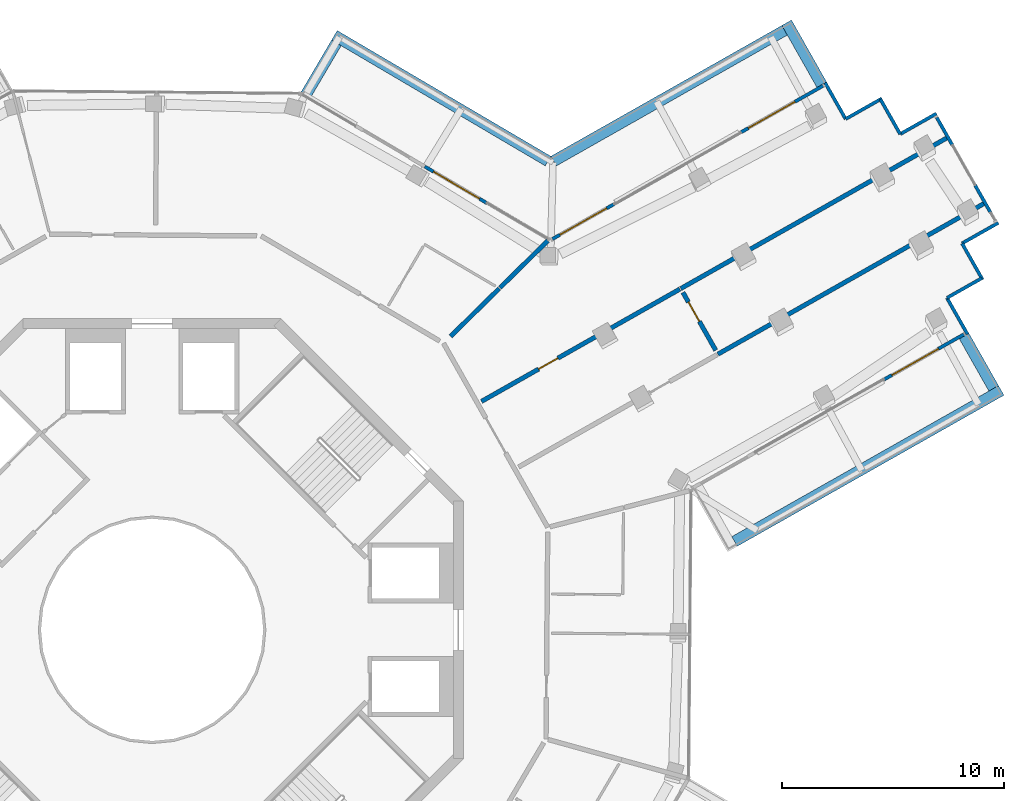
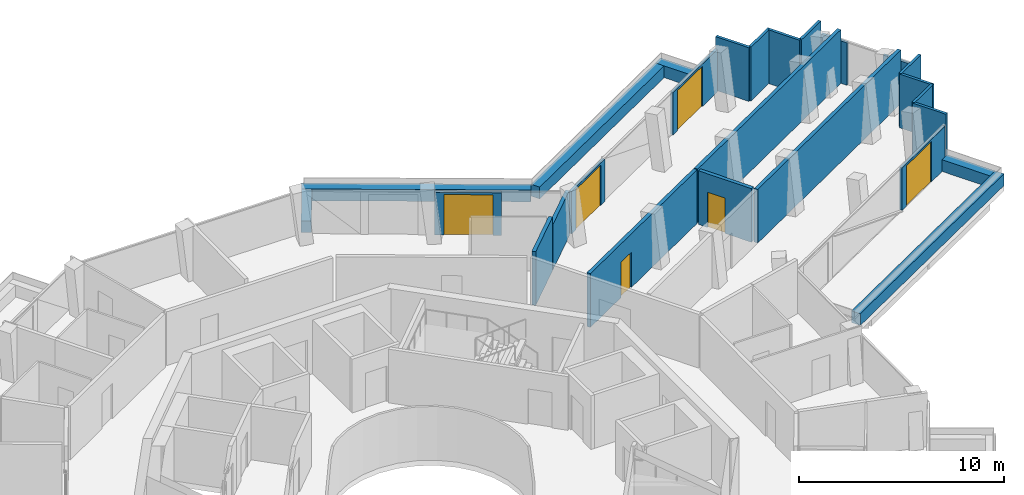
# One storey, part 21 of 24: 26 walls, 6 doors, 6 openings.
"""IFC4 building model written with IfcOpenShell, lengths in metres."""

from ifc_helpers import new_model, si_unit, direction, frame, frame_2d, origin, place, context, subcontext, project, spatial, rectangle, extrude, material, layer, layer_set, type_object, element, fill, save


model = new_model("IFC4")

# Units and contexts
model_context = context("Model", 3, precision=1e-05, world=origin(), true_north=direction((0.0, 1.0)))
body_context = subcontext(model_context, "Body", "Model", "MODEL_VIEW")
ifc_project = project(units=[si_unit("LENGTHUNIT", "METRE"), si_unit("AREAUNIT", "SQUARE_METRE"), si_unit("VOLUMEUNIT", "CUBIC_METRE"), si_unit("PLANEANGLEUNIT", "RADIAN"), si_unit("MASSUNIT", "GRAM", prefix="KILO")], contexts=[model_context])

# Site, building, storey
site_placement = place(None, origin())
site = spatial("IfcSite", under=ifc_project, at=site_placement, CompositionType="ELEMENT")
building_placement = place(site_placement, origin())
building = spatial("IfcBuilding", under=site, at=building_placement, Name="Verdalira Terraces Hotel", CompositionType="ELEMENT")
storey_placement = place(building_placement, frame((0.0, 0.0, 277.5)))
storey = spatial("IfcBuildingStorey", under=building, at=storey_placement, Name="L68", CompositionType="ELEMENT", Elevation=277.5)

# Walls
ifc_material_1 = material(Name="Concrete C40", Category="concrete")
ifc_layer_1 = layer(ifc_material_1, 0.5)
ifc_layer_set_1 = layer_set([ifc_layer_1], Name="Balcony planter trough with tree")
wall_type_1 = type_object("IfcWallType", Name="Balcony planter trough with tree", PredefinedType="SOLIDWALL", material=ifc_layer_set_1)
wall_1_placement = place(storey_placement, frame((26.200684, 3.97583, 0.0), z_axis=(0.0, 0.0, 1.0), x_axis=(0.87018366, 0.492727509, 0.0)))
element("IfcWall", 1, at=wall_1_placement, inside=storey, type_object=wall_type_1, Name="Balcony planter", PredefinedType="SOLIDWALL", context=body_context, shape_type="SweptSolid", body=[
    extrude(rectangle(XDim=13.787842, YDim=0.5, at=frame_2d((6.894043, 0.0))), origin(), (0.0, 0.0, 1.0), 0.699951),
])
wall_2_placement = place(storey_placement, frame((37.85791, 10.864014, 0.0), z_axis=(0.0, 0.0, 1.0), x_axis=(-0.49271584, 0.870190267, 0.0)))
element("IfcWall", 2, at=wall_2_placement, inside=storey, type_object=wall_type_1, Name="Balcony planter", PredefinedType="SOLIDWALL", context=body_context, shape_type="SweptSolid", body=[
    extrude(rectangle(XDim=2.698975, YDim=0.5, at=frame_2d((1.349609, 0.0))), origin(), (0.0, 0.0, 1.0), 0.699951),
])
wall_3_placement = place(storey_placement, frame((30.121582, 24.526855, 0.0), z_axis=(0.0, 0.0, 1.0), x_axis=(-0.492715997, 0.870190179, 0.0)))
element("IfcWall", 3, at=wall_3_placement, inside=storey, type_object=wall_type_1, Name="Balcony planter", PredefinedType="SOLIDWALL", context=body_context, shape_type="SweptSolid", body=[
    extrude(rectangle(XDim=3.198975, YDim=0.5, at=frame_2d((1.599609, 0.0))), origin(), (0.0, 0.0, 1.0), 0.699951),
])
wall_4_placement = place(storey_placement, frame((28.451172, 26.969727, 0.0), z_axis=(0.0, 0.0, 1.0), x_axis=(-0.870182922, -0.492728812, 0.0)))
element("IfcWall", 4, at=wall_4_placement, inside=storey, type_object=wall_type_1, Name="Balcony planter", PredefinedType="SOLIDWALL", context=body_context, shape_type="SweptSolid", body=[
    extrude(rectangle(XDim=11.940674, YDim=0.5, at=frame_2d((5.970215, 0.0))), origin(), (0.0, 0.0, 1.0), 0.699951),
])
wall_5_placement = place(storey_placement, frame((17.810547, 21.088379, 0.0), z_axis=(0.0, 0.0, 1.0), x_axis=(-0.861800811, 0.507246846, 0.0)))
element("IfcWall", 5, at=wall_5_placement, inside=storey, type_object=wall_type_1, Name="Balcony planter", PredefinedType="SOLIDWALL", context=body_context, shape_type="SweptSolid", body=[
    extrude(rectangle(XDim=11.152344, YDim=0.5, at=frame_2d((5.576172, 0.0))), origin(), (0.0, 0.0, 1.0), 0.699951),
])
wall_6_placement = place(storey_placement, frame((8.288086, 26.403076, 0.0), z_axis=(0.0, 0.0, 1.0), x_axis=(-0.507281009, -0.861780702, 0.0)))
element("IfcWall", 6, at=wall_6_placement, inside=storey, type_object=wall_type_1, Name="Balcony planter", PredefinedType="SOLIDWALL", context=body_context, shape_type="SweptSolid", body=[
    extrude(rectangle(XDim=2.698975, YDim=0.5, at=frame_2d((1.349609, 0.0))), origin(), (0.0, 0.0, 1.0), 0.699951),
])
ifc_material_2 = material(Name="Fire-rated gypsum board wall")
ifc_layer_2 = layer(ifc_material_2, 0.199951171875)
ifc_layer_set_2 = layer_set([ifc_layer_2], Name="Demising wall 200 mm")
wall_type_2 = type_object("IfcWallType", Name="Demising wall 200 mm", PredefinedType="SOLIDWALL", material=ifc_layer_set_2)
wall_7_placement = place(storey_placement, frame((13.427246, 13.204102, 0.0), z_axis=(0.0, 0.0, 1.0), x_axis=(0.712997217, 0.701166862, 0.0)))
element("IfcWall", 7, at=wall_7_placement, inside=storey, type_object=wall_type_2, Name="Demising wall", PredefinedType="SOLIDWALL", context=body_context, shape_type="SweptSolid", body=[
    extrude(rectangle(XDim=3.074951, YDim=0.199951, at=frame_2d((1.537598, 0.0))), origin(), (0.0, 0.0, 1.0), 3.189941),
])

# Wall, opening, door
wall_8_placement = place(storey_placement, frame((14.818359, 10.276611, 0.0), z_axis=(0.0, 0.0, 1.0), x_axis=(0.870181146, 0.492731948, 0.0)))
wall_8 = element("IfcWall", 8, at=wall_8_placement, inside=storey, type_object=wall_type_2, Name="Demising wall", PredefinedType="SOLIDWALL", context=body_context, shape_type="SweptSolid", body=[
    extrude(rectangle(XDim=10.251953, YDim=0.199951, at=frame_2d((5.125977, 0.0))), origin(), (0.0, 0.0, 1.0), 3.189941),
])
opening_1_placement = place(wall_8_placement, frame((2.949951, 0.0, 0.0)))
opening_1 = element("IfcOpeningElement", 9, at=opening_1_placement, cuts=wall_8, Name="Opening L68-126", PredefinedType="OPENING", context=body_context, shape_type="SweptSolid", body=[
    extrude(rectangle(XDim=1.0, YDim=2.100098, at=frame_2d((0.5, 1.050049))), frame((0.0, 0.109863, 0.0), z_axis=(0.0, -1.0, 0.0), x_axis=(1.0, 0.0, 0.0)), (0.0, 0.0, 1.0), 0.219971),
])
ifc_material_3 = material(Name="Timber fire door", Category="wood")
door_type_1 = type_object("IfcDoorType", Name="Public room door 1000 x 2100", OperationType="NOTDEFINED", PredefinedType="DOOR", material=ifc_material_3)
door_1_placement = place(opening_1_placement, origin())
door_1 = element("IfcDoor", 10, at=door_1_placement, inside=storey, type_object=door_type_1, Name="Public room door 6808", OperationType="SINGLE_SWING_LEFT", OverallHeight=2.10009765625, OverallWidth=1.0, PredefinedType="DOOR", context=body_context, shape_type="SweptSolid", body=[
    extrude(rectangle(XDim=1.0, YDim=2.100098, at=frame_2d((0.5, 1.050049))), frame((0.0, 0.024902, 0.0), z_axis=(0.0, -1.0, 0.0), x_axis=(1.0, 0.0, 0.0)), (0.0, 0.0, 1.0), 0.050049),
])
fill(opening_1, door_1)

wall_9_placement = place(storey_placement, frame((23.879883, 15.177734, 0.0), z_axis=(0.0, 0.0, 1.0), x_axis=(0.492716007, -0.870190172, 0.0)))
wall_9 = element("IfcWall", 11, at=wall_9_placement, inside=storey, type_object=wall_type_2, Name="Demising wall", PredefinedType="SOLIDWALL", context=body_context, shape_type="SweptSolid", body=[
    extrude(rectangle(XDim=2.991211, YDim=0.199951, at=frame_2d((1.495605, 0.0))), origin(), (0.0, 0.0, 1.0), 3.189941),
])
opening_2_placement = place(wall_9_placement, frame((0.5, 0.0, 0.0)))
opening_2 = element("IfcOpeningElement", 12, at=opening_2_placement, cuts=wall_9, Name="Opening L68-127", PredefinedType="OPENING", context=body_context, shape_type="SweptSolid", body=[
    extrude(rectangle(XDim=1.0, YDim=2.100098, at=frame_2d((0.5, 1.050049))), frame((0.0, 0.109863, 0.0), z_axis=(0.0, -1.0, 0.0), x_axis=(1.0, 0.0, 0.0)), (0.0, 0.0, 1.0), 0.219971),
])
door_2_placement = place(opening_2_placement, origin())
door_2 = element("IfcDoor", 13, at=door_2_placement, inside=storey, type_object=door_type_1, Name="Public room door 6808", OperationType="SINGLE_SWING_LEFT", OverallHeight=2.10009765625, OverallWidth=1.0, PredefinedType="DOOR", context=body_context, shape_type="SweptSolid", body=[
    extrude(rectangle(XDim=1.0, YDim=2.100098, at=frame_2d((0.5, 1.050049))), frame((0.0, 0.024902, 0.0), z_axis=(0.0, -1.0, 0.0), x_axis=(1.0, 0.0, 0.0)), (0.0, 0.0, 1.0), 0.050049),
])
fill(opening_2, door_2)

# Walls
wall_10_placement = place(storey_placement, frame((35.736084, 22.12085, 0.0), z_axis=(0.0, 0.0, 1.0), x_axis=(-0.870181681, -0.492731004, 0.0)))
element("IfcWall", 14, at=wall_10_placement, inside=storey, type_object=wall_type_2, Name="Demising wall", PredefinedType="SOLIDWALL", context=body_context, shape_type="SweptSolid", body=[
    extrude(rectangle(XDim=13.740234, YDim=0.199951, at=frame_2d((6.870117, 0.0))), origin(), (0.0, 0.0, 1.0), 3.189941),
])
wall_11_placement = place(storey_placement, frame((25.450684, 12.399414, 0.0), z_axis=(0.0, 0.0, 1.0), x_axis=(0.870177367, 0.492738623, 0.0)))
element("IfcWall", 15, at=wall_11_placement, inside=storey, type_object=wall_type_2, Name="Demising wall", PredefinedType="SOLIDWALL", context=body_context, shape_type="SweptSolid", body=[
    extrude(rectangle(XDim=13.73999, YDim=0.199951, at=frame_2d((6.870117, 0.0))), origin(), (0.0, 0.0, 1.0), 3.189941),
])
ifc_material_4 = material(Name="Fire-rated gypsum board wall")
ifc_layer_3 = layer(ifc_material_4, 0.199951171875)
ifc_layer_set_3 = layer_set([ifc_layer_3], Name="Demising wall 200 mm to beam soffit")
wall_type_3 = type_object("IfcWallType", Name="Demising wall 200 mm to beam soffit", PredefinedType="SOLIDWALL", material=ifc_layer_set_3)
wall_12_placement = place(storey_placement, frame((15.652344, 15.392334, 0.0), z_axis=(0.0, 0.0, 1.0), x_axis=(0.713000038, 0.701163994, 0.0)))
element("IfcWall", 16, at=wall_12_placement, inside=storey, type_object=wall_type_3, Name="Demising wall", PredefinedType="SOLIDWALL", context=body_context, shape_type="SweptSolid", body=[
    extrude(rectangle(XDim=3.011475, YDim=0.199951, at=frame_2d((1.505859, 0.0))), origin(), (0.0, 0.0, 1.0), 2.689941),
])
ifc_material_5 = material(Name="Terracotta cladding", Category="masonry")
ifc_layer_4 = layer(ifc_material_5, 0.14990234375)
ifc_layer_set_4 = layer_set([ifc_layer_4], Name="Terracotta clad wall 150")
wall_type_4 = type_object("IfcWallType", Name="Terracotta clad wall 150", PredefinedType="SOLIDWALL", material=ifc_layer_set_4)
wall_13_placement = place(storey_placement, frame((36.679932, 13.299805, 0.0), z_axis=(0.0, 0.0, 1.0), x_axis=(-0.492713575, 0.870191549, 0.0)))
element("IfcWall", 17, at=wall_13_placement, inside=storey, type_object=wall_type_4, Name="Terracotta cladding wall", PredefinedType="SOLIDWALL", context=body_context, shape_type="SweptSolid", body=[
    extrude(rectangle(XDim=1.875, YDim=0.149902, at=frame_2d((0.9375, 0.0))), origin(), (0.0, 0.0, 1.0), 3.189941),
])
wall_14_placement = place(storey_placement, frame((35.756104, 14.931396, 0.0), z_axis=(0.0, 0.0, 1.0), x_axis=(0.870206379, 0.492687384, 0.0)))
element("IfcWall", 18, at=wall_14_placement, inside=storey, type_object=wall_type_4, Name="Terracotta cladding wall", PredefinedType="SOLIDWALL", context=body_context, shape_type="SweptSolid", body=[
    extrude(rectangle(XDim=1.799805, YDim=0.149902, at=frame_2d((0.899902, 0.0))), origin(), (0.0, 0.0, 1.0), 3.189941),
])
for number, where, z_axis, x_axis, name in (
    (19, (37.359375, 15.75293, 0.0), (0.0, 0.0, 1.0), (-0.492713575, 0.870191549, 0.0), "Terracotta cladding wall"),
    (20, (36.435547, 17.384521, 0.0), (0.0, 0.0, 1.0), (0.870191549, 0.492713575, 0.0), "Terracotta cladding wall"),
    (21, (35.283203, 23.224854, 0.0), (0.0, 0.0, 1.0), (-0.870191549, -0.492713575, 0.0), "Terracotta cladding wall"),
):
    element("IfcWall", number, at=place(storey_placement, frame(where, z_axis=z_axis, x_axis=x_axis)), inside=storey, type_object=wall_type_4, Name=name, PredefinedType="SOLIDWALL", context=body_context, shape_type="SweptSolid", body=[
        extrude(rectangle(XDim=1.875, YDim=0.149902, at=frame_2d((0.9375, 0.0))), origin(), (0.0, 0.0, 1.0), 3.189941),
    ])
wall_15_placement = place(storey_placement, frame((33.651611, 22.301025, 0.0), z_axis=(0.0, 0.0, 1.0), x_axis=(-0.492731939, 0.870181151, 0.0)))
element("IfcWall", 22, at=wall_15_placement, inside=storey, type_object=wall_type_4, Name="Terracotta cladding wall", PredefinedType="SOLIDWALL", context=body_context, shape_type="SweptSolid", body=[
    extrude(rectangle(XDim=1.800049, YDim=0.149902, at=frame_2d((0.899902, 0.0))), origin(), (0.0, 0.0, 1.0), 3.189941),
])
for number, where, z_axis, x_axis, name in (
    (23, (32.829834, 23.904297, 0.0), (0.0, 0.0, 1.0), (-0.870191549, -0.492713575, 0.0), "Terracotta cladding wall"),
    (24, (31.198242, 22.980469, 0.0), (0.0, 0.0, 1.0), (-0.492713575, 0.870191549, 0.0), "Terracotta cladding wall"),
):
    element("IfcWall", number, at=place(storey_placement, frame(where, z_axis=z_axis, x_axis=x_axis)), inside=storey, type_object=wall_type_4, Name=name, PredefinedType="SOLIDWALL", context=body_context, shape_type="SweptSolid", body=[
        extrude(rectangle(XDim=1.875, YDim=0.149902, at=frame_2d((0.9375, 0.0))), origin(), (0.0, 0.0, 1.0), 3.189941),
    ])
ifc_material_6 = material(Name="Terracotta cladding", Category="masonry")
ifc_layer_5 = layer(ifc_material_6, 0.14990234375)
ifc_layer_set_5 = layer_set([ifc_layer_5], Name="Terracotta column pier 150")
wall_type_5 = type_object("IfcWallType", Name="Terracotta column pier 150", PredefinedType="SOLIDWALL", material=ifc_layer_set_5)
wall_16_placement = place(storey_placement, frame((37.728271, 18.754395, 0.0), z_axis=(0.0, 0.0, 1.0), x_axis=(-0.492668789, 0.870216907, 0.0)))
element("IfcWall", 25, at=wall_16_placement, inside=storey, type_object=wall_type_5, Name="Terracotta column pier", PredefinedType="SOLIDWALL", context=body_context, shape_type="SweptSolid", body=[
    extrude(rectangle(XDim=1.433594, YDim=0.149902, at=frame_2d((0.716797, 0.0))), origin(), (0.0, 0.0, 1.0), 2.524902),
])
wall_17_placement = place(storey_placement, frame((36.013672, 21.782715, 0.0), z_axis=(0.0, 0.0, 1.0), x_axis=(-0.492767855, 0.870160813, 0.0)))
element("IfcWall", 26, at=wall_17_placement, inside=storey, type_object=wall_type_5, Name="Terracotta column pier", PredefinedType="SOLIDWALL", context=body_context, shape_type="SweptSolid", body=[
    extrude(rectangle(XDim=1.460205, YDim=0.149902, at=frame_2d((0.72998, 0.0))), origin(), (0.0, 0.0, 1.0), 2.524902),
])

# Wall, opening, door
ifc_material_7 = material(Name="Terracotta cladding", Category="masonry")
ifc_layer_6 = layer(ifc_material_7, 0.14990234375)
ifc_layer_set_6 = layer_set([ifc_layer_6], Name="Terracotta door pier 150")
wall_type_6 = type_object("IfcWallType", Name="Terracotta door pier 150", PredefinedType="SOLIDWALL", material=ifc_layer_set_6)
wall_18_placement = place(storey_placement, frame((32.931641, 11.263428, 0.0), z_axis=(0.0, 0.0, 1.0), x_axis=(0.870187349, 0.492720994, 0.0)))
wall_18 = element("IfcWall", 27, at=wall_18_placement, inside=storey, type_object=wall_type_6, Name="Terracotta door pier", PredefinedType="SOLIDWALL", context=body_context, shape_type="SweptSolid", body=[
    extrude(rectangle(XDim=4.120117, YDim=0.149902, at=frame_2d((2.060059, 0.0))), origin(), (0.0, 0.0, 1.0), 2.524902),
])
opening_3_placement = place(wall_18_placement, frame((0.399902, 0.0, 0.0)))
opening_3 = element("IfcOpeningElement", 28, at=opening_3_placement, cuts=wall_18, Name="Opening L68-B13", PredefinedType="OPENING", context=body_context, shape_type="SweptSolid", body=[
    extrude(rectangle(XDim=2.399902, YDim=2.399902, at=frame_2d((1.199951, 1.199951))), frame((0.0, 0.084961, 0.0), z_axis=(0.0, -1.0, 0.0), x_axis=(1.0, 0.0, 0.0)), (0.0, 0.0, 1.0), 0.169922),
])
ifc_material_8 = material(Name="Clear glass", Category="glass")
door_type_2 = type_object("IfcDoorType", Name="Balcony sliding door 2400x2400", OperationType="NOTDEFINED", PredefinedType="DOOR", material=ifc_material_8)
door_3_placement = place(opening_3_placement, origin())
door_3 = element("IfcDoor", 29, at=door_3_placement, inside=storey, type_object=door_type_2, Name="Balcony sliding door", OperationType="SLIDING_TO_RIGHT", OverallHeight=2.39990234375, OverallWidth=2.39990234375, PredefinedType="DOOR", context=body_context, shape_type="SweptSolid", body=[
    extrude(rectangle(XDim=2.399902, YDim=2.399902, at=frame_2d((1.199951, 1.199951))), frame((0.0, 0.024902, 0.0), z_axis=(0.0, -1.0, 0.0), x_axis=(1.0, 0.0, 0.0)), (0.0, 0.0, 1.0), 0.050049),
])
fill(opening_3, door_3)

wall_19_placement = place(storey_placement, frame((30.185303, 24.475342, 0.0), z_axis=(0.0, 0.0, 1.0), x_axis=(-0.87020076, -0.492697308, 0.0)))
wall_19 = element("IfcWall", 30, at=wall_19_placement, inside=storey, type_object=wall_type_6, Name="Terracotta door pier", PredefinedType="SOLIDWALL", context=body_context, shape_type="SweptSolid", body=[
    extrude(rectangle(XDim=4.26001, YDim=0.149902, at=frame_2d((2.129883, 0.0))), origin(), (0.0, 0.0, 1.0), 2.524902),
])
opening_4_placement = place(wall_19_placement, frame((1.459961, 0.0, 0.0)))
opening_4 = element("IfcOpeningElement", 31, at=opening_4_placement, cuts=wall_19, Name="Opening L68-B14", PredefinedType="OPENING", context=body_context, shape_type="SweptSolid", body=[
    extrude(rectangle(XDim=2.399902, YDim=2.399902, at=frame_2d((1.199951, 1.199951))), frame((0.0, 0.084961, 0.0), z_axis=(0.0, -1.0, 0.0), x_axis=(1.0, 0.0, 0.0)), (0.0, 0.0, 1.0), 0.169922),
])
door_4_placement = place(opening_4_placement, origin())
door_4 = element("IfcDoor", 32, at=door_4_placement, inside=storey, type_object=door_type_2, Name="Balcony sliding door", OperationType="SLIDING_TO_LEFT", OverallHeight=2.39990234375, OverallWidth=2.39990234375, PredefinedType="DOOR", context=body_context, shape_type="SweptSolid", body=[
    extrude(rectangle(XDim=2.399902, YDim=2.399902, at=frame_2d((1.199951, 1.199951))), frame((0.0, 0.024902, 0.0), z_axis=(0.0, -1.0, 0.0), x_axis=(1.0, 0.0, 0.0)), (0.0, 0.0, 1.0), 0.050049),
])
fill(opening_4, door_4)

wall_20_placement = place(storey_placement, frame((20.788818, 19.154785, 0.0), z_axis=(0.0, 0.0, 1.0), x_axis=(-0.87018032, -0.492733407, 0.0)))
wall_20 = element("IfcWall", 33, at=wall_20_placement, inside=storey, type_object=wall_type_6, Name="Terracotta door pier", PredefinedType="SOLIDWALL", context=body_context, shape_type="SweptSolid", body=[
    extrude(rectangle(XDim=3.199707, YDim=0.149902, at=frame_2d((1.599854, 0.0))), origin(), (0.0, 0.0, 1.0), 2.524902),
])
opening_5_placement = place(wall_20_placement, frame((0.399902, 0.0, 0.0)))
opening_5 = element("IfcOpeningElement", 34, at=opening_5_placement, cuts=wall_20, Name="Opening L68-B15", PredefinedType="OPENING", context=body_context, shape_type="SweptSolid", body=[
    extrude(rectangle(XDim=2.399902, YDim=2.399902, at=frame_2d((1.199951, 1.199951))), frame((0.0, 0.084961, 0.0), z_axis=(0.0, -1.0, 0.0), x_axis=(1.0, 0.0, 0.0)), (0.0, 0.0, 1.0), 0.169922),
])
door_5_placement = place(opening_5_placement, origin())
door_5 = element("IfcDoor", 35, at=door_5_placement, inside=storey, type_object=door_type_2, Name="Balcony sliding door", OperationType="SLIDING_TO_RIGHT", OverallHeight=2.39990234375, OverallWidth=2.39990234375, PredefinedType="DOOR", context=body_context, shape_type="SweptSolid", body=[
    extrude(rectangle(XDim=2.399902, YDim=2.399902, at=frame_2d((1.199951, 1.199951))), frame((0.0, 0.024902, 0.0), z_axis=(0.0, -1.0, 0.0), x_axis=(1.0, 0.0, 0.0)), (0.0, 0.0, 1.0), 0.050049),
])
fill(opening_5, door_5)

wall_21_placement = place(storey_placement, frame((15.067627, 19.192871, 0.0), z_axis=(0.0, 0.0, 1.0), x_axis=(-0.86182992, 0.507197387, 0.0)))
wall_21 = element("IfcWall", 36, at=wall_21_placement, inside=storey, type_object=wall_type_6, Name="Terracotta door pier", PredefinedType="SOLIDWALL", context=body_context, shape_type="SweptSolid", body=[
    extrude(rectangle(XDim=3.25, YDim=0.149902, at=frame_2d((1.625, 0.0))), origin(), (0.0, 0.0, 1.0), 2.524902),
])
opening_6_placement = place(wall_21_placement, frame((0.399902, 0.0, 0.0)))
opening_6 = element("IfcOpeningElement", 37, at=opening_6_placement, cuts=wall_21, Name="Opening L68-B16", PredefinedType="OPENING", context=body_context, shape_type="SweptSolid", body=[
    extrude(rectangle(XDim=2.399902, YDim=2.399902, at=frame_2d((1.199951, 1.199951))), frame((0.0, 0.084961, 0.0), z_axis=(0.0, -1.0, 0.0), x_axis=(1.0, 0.0, 0.0)), (0.0, 0.0, 1.0), 0.169922),
])
door_6_placement = place(opening_6_placement, origin())
door_6 = element("IfcDoor", 38, at=door_6_placement, inside=storey, type_object=door_type_2, Name="Balcony sliding door", OperationType="SLIDING_TO_RIGHT", OverallHeight=2.39990234375, OverallWidth=2.39990234375, PredefinedType="DOOR", context=body_context, shape_type="SweptSolid", body=[
    extrude(rectangle(XDim=2.399902, YDim=2.399902, at=frame_2d((1.199951, 1.199951))), frame((0.0, 0.024902, 0.0), z_axis=(0.0, -1.0, 0.0), x_axis=(1.0, 0.0, 0.0)), (0.0, 0.0, 1.0), 0.050049),
])
fill(opening_6, door_6)

save(model, "model.ifc")
